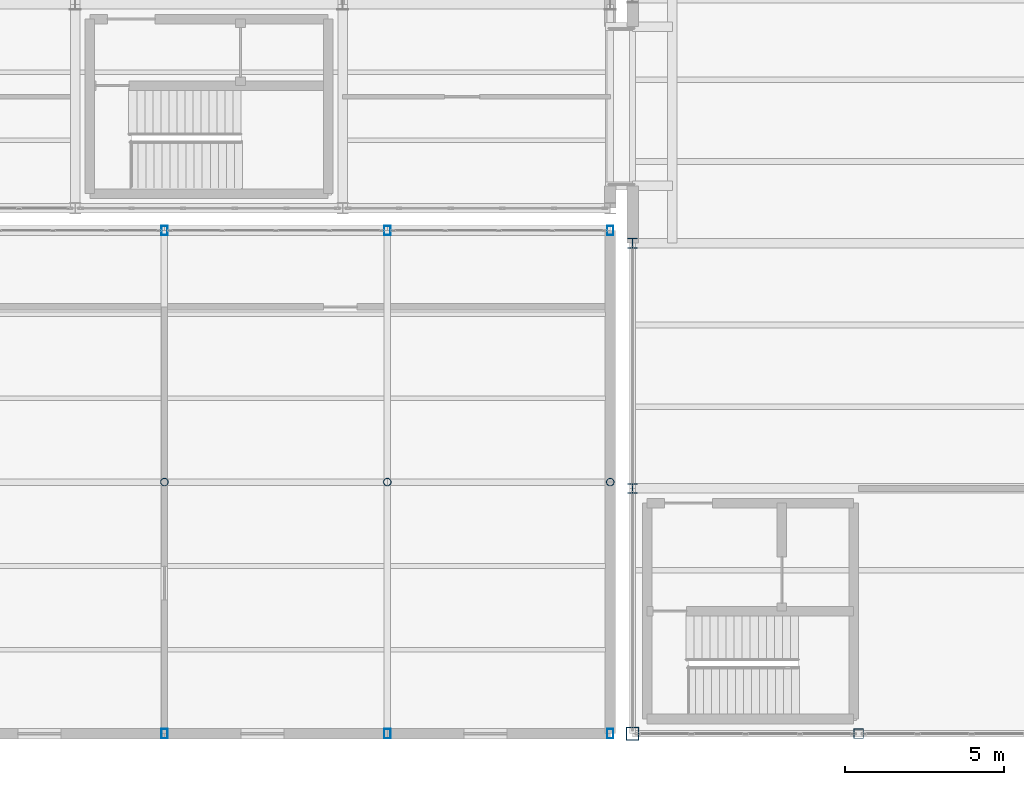
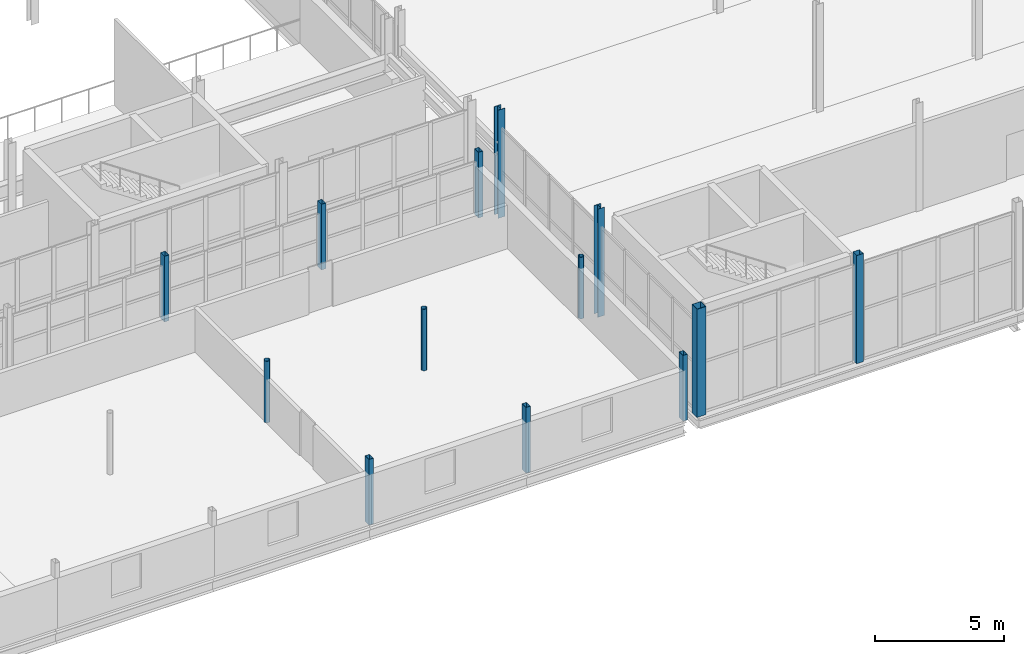
# One storey, part 17 of 218: 13 columns.
"""IFC4 building model written with IfcOpenShell, lengths in metres."""

from ifc_helpers import new_model, si_unit, direction, frame, origin, origin_2d, place, context, subcontext, project, spatial, hollow_rectangle, hollow_circle, i_section, extrude, material, material_profile, profile_set, type_object, element, save


model = new_model("IFC4")

# Units and contexts
model_context = context("Model", 3, precision=1e-05, world=origin(), true_north=direction((0.0, 1.0)))
body_context = subcontext(model_context, "Body", "Model", "MODEL_VIEW")
ifc_project = project(units=[si_unit("LENGTHUNIT", "METRE"), si_unit("AREAUNIT", "SQUARE_METRE"), si_unit("VOLUMEUNIT", "CUBIC_METRE"), si_unit("PLANEANGLEUNIT", "RADIAN"), si_unit("MASSUNIT", "GRAM", prefix="KILO")], contexts=[model_context])

# Site, building, storey
site_placement = place(None, origin())
site = spatial("IfcSite", under=ifc_project, at=site_placement, CompositionType="ELEMENT")
building_placement = place(site_placement, origin())
building = spatial("IfcBuilding", under=site, at=building_placement, Name="Kazenagashi Tramway Depot", CompositionType="ELEMENT")
storey_placement = place(building_placement, frame((0.0, 0.0, 6.0)))
storey = spatial("IfcBuildingStorey", under=building, at=storey_placement, Name="L02", CompositionType="ELEMENT", Elevation=6.0)

# Columns
ifc_material_1 = material(Name="Steel SN490B", Category="steel")
ifc_material_profile_1 = material_profile(ifc_material_1, i_section(OverallWidth=0.3, OverallDepth=0.3, WebThickness=0.01, FlangeThickness=0.015, at=origin_2d()), Name="H-300x300x10x15")
ifc_profile_set_1 = profile_set([ifc_material_profile_1], Name="Steel SN490B")
column_type_1 = type_object("IfcColumnType", Name="C-05", PredefinedType="COLUMN", material=ifc_profile_set_1)
for number, where, z_axis, x_axis, name in (
    (1, (146.3, 7.7, 0.0), (0.0, 0.0, 1.0), (1.0, 0.0, 0.0), "Column C-05 COL-0367"),
    (2, (146.3, 15.4, 0.0), (0.0, 0.0, 1.0), (1.0, 0.0, 0.0), "Column C-05 COL-0369"),
):
    element("IfcColumn", number, at=place(storey_placement, frame(where, z_axis=z_axis, x_axis=x_axis)), inside=storey, type_object=column_type_1, Name=name, PredefinedType="COLUMN", context=body_context, shape_type="SweptSolid", body=[
        extrude(i_section(OverallWidth=0.3, OverallDepth=0.3, WebThickness=0.01, FlangeThickness=0.015, at=origin_2d()), origin(), (0.0, 0.0, 1.0), 5.1),
    ])
ifc_material_2 = material(Name="Steel STKR490", Category="steel")
ifc_material_profile_2 = material_profile(ifc_material_2, hollow_rectangle(XDim=0.2, YDim=0.3, WallThickness=0.009, at=origin_2d()), Name="RHS-300x200x9")
ifc_profile_set_2 = profile_set([ifc_material_profile_2], Name="Steel STKR490")
column_type_2 = type_object("IfcColumnType", Name="C-12", PredefinedType="COLUMN", material=ifc_profile_set_2)
for number, where, z_axis, x_axis, name in (
    (3, (131.6, 0.0, 0.0), (0.0, 0.0, 1.0), (1.0, 0.0, 0.0), "Column C-12 COL-0831"),
    (4, (131.6, 15.8, 0.0), (0.0, 0.0, 1.0), (1.0, 0.0, 0.0), "Column C-12 COL-0835"),
    (5, (138.6, 0.0, 0.0), (0.0, 0.0, 1.0), (1.0, 0.0, 0.0), "Column C-12 COL-0837"),
    (6, (138.6, 15.8, 0.0), (0.0, 0.0, 1.0), (1.0, 0.0, 0.0), "Column C-12 COL-0841"),
    (7, (145.6, 0.0, 0.0), (0.0, 0.0, 1.0), (1.0, 0.0, 0.0), "Column C-12 COL-0843"),
    (8, (145.6, 15.8, 0.0), (0.0, 0.0, 1.0), (1.0, 0.0, 0.0), "Column C-12 COL-0847"),
):
    element("IfcColumn", number, at=place(storey_placement, frame(where, z_axis=z_axis, x_axis=x_axis)), inside=storey, type_object=column_type_2, Name=name, PredefinedType="COLUMN", context=body_context, shape_type="SweptSolid", body=[
        extrude(hollow_rectangle(XDim=0.2, YDim=0.3, WallThickness=0.009, at=origin_2d()), origin(), (0.0, 0.0, 1.0), 3.1),
    ])
ifc_material_profile_3 = material_profile(ifc_material_2, hollow_rectangle(XDim=0.4, YDim=0.4, WallThickness=0.016, at=origin_2d()), Name="SHS-400x400x16")
ifc_profile_set_3 = profile_set([ifc_material_profile_3], Name="Steel STKR490")
column_type_3 = type_object("IfcColumnType", Name="C-16", PredefinedType="COLUMN", material=ifc_profile_set_3)
column_1_placement = place(storey_placement, frame((146.3, 0.0, 0.0), z_axis=(0.0, 0.0, 1.0), x_axis=(1.0, 0.0, 0.0)))
element("IfcColumn", 9, at=column_1_placement, inside=storey, type_object=column_type_3, Name="Column C-16 COL-0365", PredefinedType="COLUMN", context=body_context, shape_type="SweptSolid", body=[
    extrude(hollow_rectangle(XDim=0.4, YDim=0.4, WallThickness=0.016, at=origin_2d()), origin(), (0.0, 0.0, 1.0), 5.1),
])
ifc_material_profile_4 = material_profile(ifc_material_2, hollow_rectangle(XDim=0.3, YDim=0.3, WallThickness=0.012, at=origin_2d()), Name="SHS-300x300x12")
ifc_profile_set_4 = profile_set([ifc_material_profile_4], Name="Steel STKR490")
column_type_4 = type_object("IfcColumnType", Name="C-17", PredefinedType="COLUMN", material=ifc_profile_set_4)
column_2_placement = place(storey_placement, frame((153.4, 0.0, 0.0), z_axis=(0.0, 0.0, 1.0), x_axis=(1.0, 0.0, 0.0)))
element("IfcColumn", 10, at=column_2_placement, inside=storey, type_object=column_type_4, Name="Column C-17 COL-0390", PredefinedType="COLUMN", context=body_context, shape_type="SweptSolid", body=[
    extrude(hollow_rectangle(XDim=0.3, YDim=0.3, WallThickness=0.012, at=origin_2d()), origin(), (0.0, 0.0, 1.0), 5.1),
])
ifc_material_3 = material(Name="Steel STK490", Category="steel")
ifc_material_profile_5 = material_profile(ifc_material_3, hollow_circle(Radius=0.1209, WallThickness=0.0088, at=origin_2d()), Name="CHS-241.8x8.8")
ifc_profile_set_5 = profile_set([ifc_material_profile_5], Name="Steel STK490")
column_type_5 = type_object("IfcColumnType", Name="C-22", PredefinedType="COLUMN", material=ifc_profile_set_5)
for number, where, z_axis, x_axis, name in (
    (11, (131.6, 7.9, 0.0), (0.0, 0.0, 1.0), (1.0, 0.0, 0.0), "Column C-22 COL-0833"),
    (12, (138.6, 7.9, 0.0), (0.0, 0.0, 1.0), (1.0, 0.0, 0.0), "Column C-22 COL-0839"),
    (13, (145.6, 7.9, 0.0), (0.0, 0.0, 1.0), (1.0, 0.0, 0.0), "Column C-22 COL-0845"),
):
    element("IfcColumn", number, at=place(storey_placement, frame(where, z_axis=z_axis, x_axis=x_axis)), inside=storey, type_object=column_type_5, Name=name, PredefinedType="COLUMN", context=body_context, shape_type="SweptSolid", body=[
        extrude(hollow_circle(Radius=0.1209, WallThickness=0.0088, at=origin_2d()), origin(), (0.0, 0.0, 1.0), 2.9),
    ])

save(model, "model.ifc")
